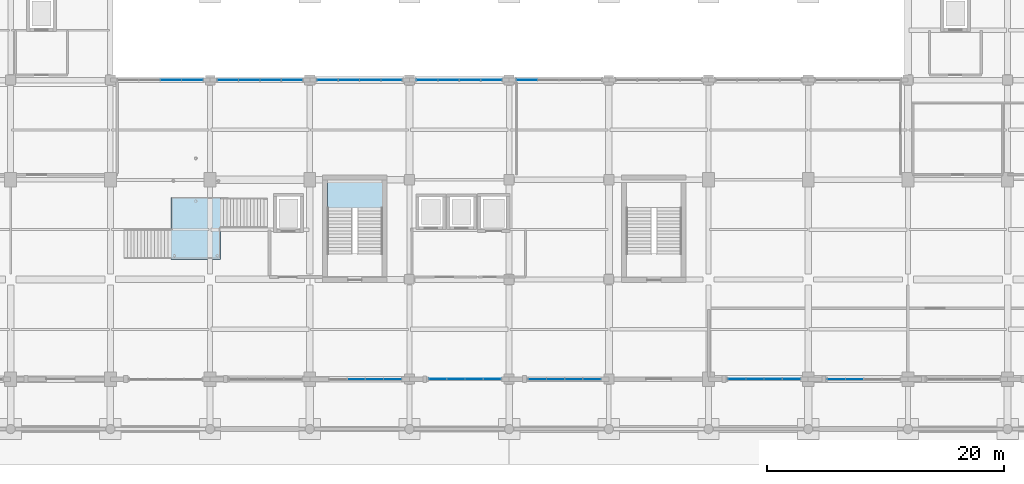
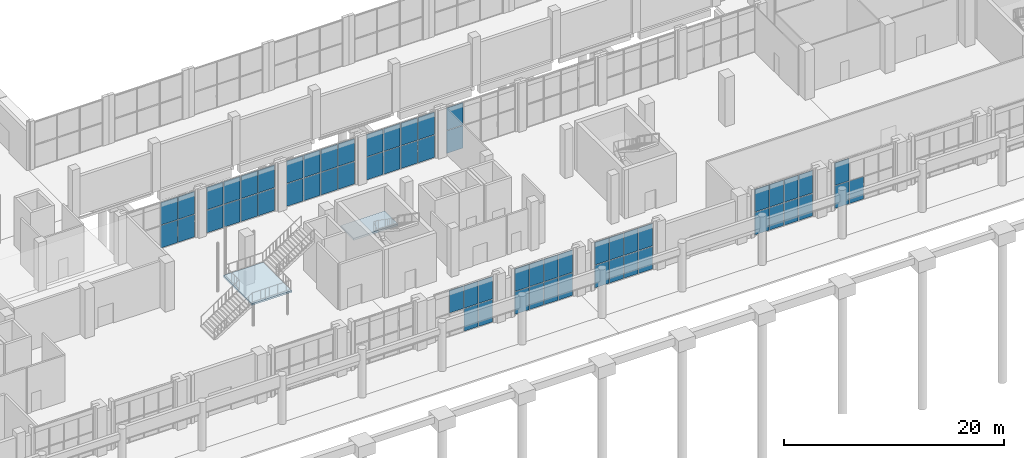
# One storey, part 55 of 82: 62 plates, 2 slabs, 12 elements without a shape of their own.
"""IFC4 building model written with IfcOpenShell, lengths in metres."""

from ifc_helpers import new_model, si_unit, derived_unit, direction, frame, origin, origin_2d, place, context, subcontext, project, spatial, polyline, rectangle, outline, extrude, material, layer, layer_set, type_object, element, aggregate, save


model = new_model("IFC4")

# Units and contexts
model_context = context("Model", 3, precision=1e-05, world=origin(), true_north=direction((0.0, 1.0)))
body_context = subcontext(model_context, "Body", "Model", "MODEL_VIEW")
ifc_project = project(units=[si_unit("LENGTHUNIT", "METRE"), si_unit("AREAUNIT", "SQUARE_METRE"), si_unit("VOLUMEUNIT", "CUBIC_METRE"), si_unit("PLANEANGLEUNIT", "RADIAN"), si_unit("MASSUNIT", "GRAM", prefix="KILO"), derived_unit("THERMALTRANSMITTANCEUNIT", [(si_unit("POWERUNIT", "WATT"), 1), (si_unit("LENGTHUNIT", "METRE"), -2), (si_unit("THERMODYNAMICTEMPERATUREUNIT", "KELVIN"), -1)])], contexts=[model_context])

# Site, building, storey
site_placement = place(None, origin())
site = spatial("IfcSite", under=ifc_project, at=site_placement, CompositionType="ELEMENT")
building_placement = place(site_placement, origin())
building = spatial("IfcBuilding", under=site, at=building_placement, Name="Barrovel Congress Hotel", CompositionType="ELEMENT")
storey_placement = place(building_placement, origin())
storey = spatial("IfcBuildingStorey", under=building, at=storey_placement, Name="L00", CompositionType="ELEMENT", Elevation=0.0)

# Curtain wall, plates
ifc_material_1 = material(Name="Anodised Aluminium Alloy 6063-T6", Category="aluminium")
curtain_wall_type = type_object("IfcCurtainWallType", Name="CW-ST-7200x4800", PredefinedType="USERDEFINED", material=ifc_material_1)
curtain_wall_1_placement = place(storey_placement, origin())
curtain_wall_1 = element("IfcCurtainWall", 1, at=curtain_wall_1_placement, inside=storey, type_object=curtain_wall_type, Name="CW:L00:S:09", ObjectType="STICK CURTAIN WALL", PredefinedType="USERDEFINED")
ifc_material_2 = material(Name="Double Low-E Insulated Glazing", Category="glass")
ifc_layer_1 = layer(ifc_material_2, 0.028076171875)
ifc_layer_set_1 = layer_set([ifc_layer_1], Name="Double Low-E Insulated Glazing")
plate_type_1 = type_object("IfcPlateType", Name="CWP-28", PredefinedType="CURTAIN_PANEL", material=ifc_layer_set_1)
plate_1_placement = place(storey_placement, frame((79.514892578125, 4.199951171875, 2.590087890625), z_axis=(0.0, 0.0, 1.0), x_axis=(1.0, 0.0, 0.0)))
plate_1 = element("IfcPlate", 2, at=plate_1_placement, type_object=plate_type_1, Name="CW:L00:S:09:P1-1", PredefinedType="CURTAIN_PANEL", context=body_context, shape_type="SweptSolid", body=[
    extrude(rectangle(XDim=1.469970703125, YDim=0.028076171875, at=origin_2d()), origin(), (0.0, 0.0, 1.0), 2.5),
])
plate_2_placement = place(storey_placement, frame((81.044921875, 4.199951171875, 0.030029296875), z_axis=(0.0, 0.0, 1.0), x_axis=(1.0, 0.0, 0.0)))
plate_2 = element("IfcPlate", 3, at=plate_2_placement, type_object=plate_type_1, Name="CW:L00:S:09:P2-0", PredefinedType="CURTAIN_PANEL", context=body_context, shape_type="SweptSolid", body=[
    extrude(rectangle(XDim=1.469970703125, YDim=0.028076171875, at=origin_2d()), origin(), (0.0, 0.0, 1.0), 2.5),
])
plate_3_placement = place(storey_placement, frame((81.044921875, 4.199951171875, 2.590087890625), z_axis=(0.0, 0.0, 1.0), x_axis=(1.0, 0.0, 0.0)))
plate_3 = element("IfcPlate", 4, at=plate_3_placement, type_object=plate_type_1, Name="CW:L00:S:09:P2-1", PredefinedType="CURTAIN_PANEL", context=body_context, shape_type="SweptSolid", body=[
    extrude(rectangle(XDim=1.469970703125, YDim=0.028076171875, at=origin_2d()), origin(), (0.0, 0.0, 1.0), 2.5),
])
plate_4_placement = place(storey_placement, frame((82.574951171875, 4.199951171875, 0.030029296875), z_axis=(0.0, 0.0, 1.0), x_axis=(1.0, 0.0, 0.0)))
plate_4 = element("IfcPlate", 5, at=plate_4_placement, type_object=plate_type_1, Name="CW:L00:S:09:P3-0", PredefinedType="CURTAIN_PANEL", context=body_context, shape_type="SweptSolid", body=[
    extrude(rectangle(XDim=1.469970703125, YDim=0.028076171875, at=origin_2d()), origin(), (0.0, 0.0, 1.0), 2.5),
])
plate_5_placement = place(storey_placement, frame((82.574951171875, 4.199951171875, 2.590087890625), z_axis=(0.0, 0.0, 1.0), x_axis=(1.0, 0.0, 0.0)))
plate_5 = element("IfcPlate", 6, at=plate_5_placement, type_object=plate_type_1, Name="CW:L00:S:09:P3-1", PredefinedType="CURTAIN_PANEL", context=body_context, shape_type="SweptSolid", body=[
    extrude(rectangle(XDim=1.469970703125, YDim=0.028076171875, at=origin_2d()), origin(), (0.0, 0.0, 1.0), 2.5),
])
aggregate(curtain_wall_1, [plate_1, plate_2, plate_3, plate_4, plate_5])

curtain_wall_2_placement = place(storey_placement, origin())
curtain_wall_2 = element("IfcCurtainWall", 7, at=curtain_wall_2_placement, inside=storey, type_object=curtain_wall_type, Name="CW:L00:S:11", ObjectType="STICK CURTAIN WALL", PredefinedType="USERDEFINED")
plate_6_placement = place(storey_placement, frame((94.784912109375, 4.199951171875, 0.030029296875), z_axis=(0.0, 0.0, 1.0), x_axis=(1.0, 0.0, 0.0)))
plate_6 = element("IfcPlate", 8, at=plate_6_placement, type_object=plate_type_1, Name="CW:L00:S:11:P0-0", PredefinedType="CURTAIN_PANEL", context=body_context, shape_type="SweptSolid", body=[
    extrude(rectangle(XDim=1.469970703125, YDim=0.028076171875, at=origin_2d()), origin(), (0.0, 0.0, 1.0), 2.5),
])
plate_7_placement = place(storey_placement, frame((94.784912109375, 4.199951171875, 2.590087890625), z_axis=(0.0, 0.0, 1.0), x_axis=(1.0, 0.0, 0.0)))
plate_7 = element("IfcPlate", 9, at=plate_7_placement, type_object=plate_type_1, Name="CW:L00:S:11:P0-1", PredefinedType="CURTAIN_PANEL", context=body_context, shape_type="SweptSolid", body=[
    extrude(rectangle(XDim=1.469970703125, YDim=0.028076171875, at=origin_2d()), origin(), (0.0, 0.0, 1.0), 2.5),
])
plate_8_placement = place(storey_placement, frame((96.31494140625, 4.199951171875, 0.030029296875), z_axis=(0.0, 0.0, 1.0), x_axis=(1.0, 0.0, 0.0)))
plate_8 = element("IfcPlate", 10, at=plate_8_placement, type_object=plate_type_1, Name="CW:L00:S:11:P1-0", PredefinedType="CURTAIN_PANEL", context=body_context, shape_type="SweptSolid", body=[
    extrude(rectangle(XDim=1.469970703125, YDim=0.028076171875, at=origin_2d()), origin(), (0.0, 0.0, 1.0), 2.5),
])
plate_9_placement = place(storey_placement, frame((96.31494140625, 4.199951171875, 2.590087890625), z_axis=(0.0, 0.0, 1.0), x_axis=(1.0, 0.0, 0.0)))
plate_9 = element("IfcPlate", 11, at=plate_9_placement, type_object=plate_type_1, Name="CW:L00:S:11:P1-1", PredefinedType="CURTAIN_PANEL", context=body_context, shape_type="SweptSolid", body=[
    extrude(rectangle(XDim=1.469970703125, YDim=0.028076171875, at=origin_2d()), origin(), (0.0, 0.0, 1.0), 2.5),
])
plate_10_placement = place(storey_placement, frame((97.844970703125, 4.199951171875, 0.030029296875), z_axis=(0.0, 0.0, 1.0), x_axis=(1.0, 0.0, 0.0)))
plate_10 = element("IfcPlate", 12, at=plate_10_placement, type_object=plate_type_1, Name="CW:L00:S:11:P2-0", PredefinedType="CURTAIN_PANEL", context=body_context, shape_type="SweptSolid", body=[
    extrude(rectangle(XDim=1.469970703125, YDim=0.028076171875, at=origin_2d()), origin(), (0.0, 0.0, 1.0), 2.5),
])
plate_11_placement = place(storey_placement, frame((97.844970703125, 4.199951171875, 2.590087890625), z_axis=(0.0, 0.0, 1.0), x_axis=(1.0, 0.0, 0.0)))
plate_11 = element("IfcPlate", 13, at=plate_11_placement, type_object=plate_type_1, Name="CW:L00:S:11:P2-1", PredefinedType="CURTAIN_PANEL", context=body_context, shape_type="SweptSolid", body=[
    extrude(rectangle(XDim=1.469970703125, YDim=0.028076171875, at=origin_2d()), origin(), (0.0, 0.0, 1.0), 2.5),
])
plate_12_placement = place(storey_placement, frame((99.375, 4.199951171875, 0.030029296875), z_axis=(0.0, 0.0, 1.0), x_axis=(1.0, 0.0, 0.0)))
plate_12 = element("IfcPlate", 14, at=plate_12_placement, type_object=plate_type_1, Name="CW:L00:S:11:P3-0", PredefinedType="CURTAIN_PANEL", context=body_context, shape_type="SweptSolid", body=[
    extrude(rectangle(XDim=1.469970703125, YDim=0.028076171875, at=origin_2d()), origin(), (0.0, 0.0, 1.0), 2.5),
])
plate_13_placement = place(storey_placement, frame((99.375, 4.199951171875, 2.590087890625), z_axis=(0.0, 0.0, 1.0), x_axis=(1.0, 0.0, 0.0)))
plate_13 = element("IfcPlate", 15, at=plate_13_placement, type_object=plate_type_1, Name="CW:L00:S:11:P3-1", PredefinedType="CURTAIN_PANEL", context=body_context, shape_type="SweptSolid", body=[
    extrude(rectangle(XDim=1.469970703125, YDim=0.028076171875, at=origin_2d()), origin(), (0.0, 0.0, 1.0), 2.5),
])
aggregate(curtain_wall_2, [plate_6, plate_7, plate_8, plate_9, plate_10, plate_11, plate_12, plate_13])

curtain_wall_3_placement = place(storey_placement, origin())
curtain_wall_3 = element("IfcCurtainWall", 16, at=curtain_wall_3_placement, inside=storey, type_object=curtain_wall_type, Name="CW:L00:S:14", ObjectType="STICK CURTAIN WALL", PredefinedType="USERDEFINED")
plate_14_placement = place(storey_placement, frame((119.985107421875, 4.199951171875, 0.030029296875), z_axis=(0.0, 0.0, 1.0), x_axis=(1.0, 0.0, 0.0)))
plate_14 = element("IfcPlate", 17, at=plate_14_placement, type_object=plate_type_1, Name="CW:L00:S:14:P0-0", PredefinedType="CURTAIN_PANEL", context=body_context, shape_type="SweptSolid", body=[
    extrude(rectangle(XDim=1.469970703125, YDim=0.028076171875, at=origin_2d()), origin(), (0.0, 0.0, 1.0), 2.5),
])
plate_15_placement = place(storey_placement, frame((119.985107421875, 4.199951171875, 2.590087890625), z_axis=(0.0, 0.0, 1.0), x_axis=(1.0, 0.0, 0.0)))
plate_15 = element("IfcPlate", 18, at=plate_15_placement, type_object=plate_type_1, Name="CW:L00:S:14:P0-1", PredefinedType="CURTAIN_PANEL", context=body_context, shape_type="SweptSolid", body=[
    extrude(rectangle(XDim=1.469970703125, YDim=0.028076171875, at=origin_2d()), origin(), (0.0, 0.0, 1.0), 2.5),
])
plate_16_placement = place(storey_placement, frame((121.514892578125, 4.199951171875, 0.030029296875), z_axis=(0.0, 0.0, 1.0), x_axis=(1.0, 0.0, 0.0)))
plate_16 = element("IfcPlate", 19, at=plate_16_placement, type_object=plate_type_1, Name="CW:L00:S:14:P1-0", PredefinedType="CURTAIN_PANEL", context=body_context, shape_type="SweptSolid", body=[
    extrude(rectangle(XDim=1.469970703125, YDim=0.028076171875, at=origin_2d()), origin(), (0.0, 0.0, 1.0), 2.5),
])
aggregate(curtain_wall_3, [plate_14, plate_15, plate_16])

curtain_wall_4_placement = place(storey_placement, origin())
curtain_wall_4 = element("IfcCurtainWall", 20, at=curtain_wall_4_placement, inside=storey, type_object=curtain_wall_type, Name="CW:L00:CS:11", ObjectType="STICK CURTAIN WALL", PredefinedType="USERDEFINED")
plate_17_placement = place(storey_placement, frame((93.89990234375, 29.39990234375, 0.030029296875), z_axis=(0.0, 0.0, 1.0), x_axis=(-1.0, 0.0, 0.0)))
plate_17 = element("IfcPlate", 21, at=plate_17_placement, type_object=plate_type_1, Name="CW:L00:CS:11:P3-0", PredefinedType="CURTAIN_PANEL", context=body_context, shape_type="SweptSolid", body=[
    extrude(rectangle(XDim=1.739990234375, YDim=0.028076171875, at=origin_2d()), origin(), (0.0, 0.0, 1.0), 2.5),
])
plate_18_placement = place(storey_placement, frame((93.89990234375, 29.39990234375, 2.590087890625), z_axis=(0.0, 0.0, 1.0), x_axis=(-1.0, 0.0, 0.0)))
plate_18 = element("IfcPlate", 22, at=plate_18_placement, type_object=plate_type_1, Name="CW:L00:CS:11:P3-1", PredefinedType="CURTAIN_PANEL", context=body_context, shape_type="SweptSolid", body=[
    extrude(rectangle(XDim=1.739990234375, YDim=0.028076171875, at=origin_2d()), origin(), (0.0, 0.0, 1.0), 2.5),
])
aggregate(curtain_wall_4, [plate_17, plate_18])

curtain_wall_5_placement = place(storey_placement, origin())
curtain_wall_5 = element("IfcCurtainWall", 23, at=curtain_wall_5_placement, inside=storey, type_object=curtain_wall_type, Name="CW:L00:CS:09", ObjectType="STICK CURTAIN WALL", PredefinedType="USERDEFINED")
plate_19_placement = place(storey_placement, frame((82.5, 29.39990234375, 0.030029296875), z_axis=(0.0, 0.0, 1.0), x_axis=(-1.0, 0.0, 0.0)))
plate_19 = element("IfcPlate", 24, at=plate_19_placement, type_object=plate_type_1, Name="CW:L00:CS:09:P0-0", PredefinedType="CURTAIN_PANEL", context=body_context, shape_type="SweptSolid", body=[
    extrude(rectangle(XDim=1.739990234375, YDim=0.028076171875, at=origin_2d()), origin(), (0.0, 0.0, 1.0), 2.5),
])
plate_20_placement = place(storey_placement, frame((82.5, 29.39990234375, 2.590087890625), z_axis=(0.0, 0.0, 1.0), x_axis=(-1.0, 0.0, 0.0)))
plate_20 = element("IfcPlate", 25, at=plate_20_placement, type_object=plate_type_1, Name="CW:L00:CS:09:P0-1", PredefinedType="CURTAIN_PANEL", context=body_context, shape_type="SweptSolid", body=[
    extrude(rectangle(XDim=1.739990234375, YDim=0.028076171875, at=origin_2d()), origin(), (0.0, 0.0, 1.0), 2.5),
])
plate_21_placement = place(storey_placement, frame((80.699951171875, 29.39990234375, 0.030029296875), z_axis=(0.0, 0.0, 1.0), x_axis=(-1.0, 0.0, 0.0)))
plate_21 = element("IfcPlate", 26, at=plate_21_placement, type_object=plate_type_1, Name="CW:L00:CS:09:P1-0", PredefinedType="CURTAIN_PANEL", context=body_context, shape_type="SweptSolid", body=[
    extrude(rectangle(XDim=1.739990234375, YDim=0.028076171875, at=origin_2d()), origin(), (0.0, 0.0, 1.0), 2.5),
])
plate_22_placement = place(storey_placement, frame((80.699951171875, 29.39990234375, 2.590087890625), z_axis=(0.0, 0.0, 1.0), x_axis=(-1.0, 0.0, 0.0)))
plate_22 = element("IfcPlate", 27, at=plate_22_placement, type_object=plate_type_1, Name="CW:L00:CS:09:P1-1", PredefinedType="CURTAIN_PANEL", context=body_context, shape_type="SweptSolid", body=[
    extrude(rectangle(XDim=1.739990234375, YDim=0.028076171875, at=origin_2d()), origin(), (0.0, 0.0, 1.0), 2.5),
])
plate_23_placement = place(storey_placement, frame((78.89990234375, 29.39990234375, 0.030029296875), z_axis=(0.0, 0.0, 1.0), x_axis=(-1.0, 0.0, 0.0)))
plate_23 = element("IfcPlate", 28, at=plate_23_placement, type_object=plate_type_1, Name="CW:L00:CS:09:P2-0", PredefinedType="CURTAIN_PANEL", context=body_context, shape_type="SweptSolid", body=[
    extrude(rectangle(XDim=1.739990234375, YDim=0.028076171875, at=origin_2d()), origin(), (0.0, 0.0, 1.0), 2.5),
])
plate_24_placement = place(storey_placement, frame((78.89990234375, 29.39990234375, 2.590087890625), z_axis=(0.0, 0.0, 1.0), x_axis=(-1.0, 0.0, 0.0)))
plate_24 = element("IfcPlate", 29, at=plate_24_placement, type_object=plate_type_1, Name="CW:L00:CS:09:P2-1", PredefinedType="CURTAIN_PANEL", context=body_context, shape_type="SweptSolid", body=[
    extrude(rectangle(XDim=1.739990234375, YDim=0.028076171875, at=origin_2d()), origin(), (0.0, 0.0, 1.0), 2.5),
])
plate_25_placement = place(storey_placement, frame((77.10009765625, 29.39990234375, 0.030029296875), z_axis=(0.0, 0.0, 1.0), x_axis=(-1.0, 0.0, 0.0)))
plate_25 = element("IfcPlate", 30, at=plate_25_placement, type_object=plate_type_1, Name="CW:L00:CS:09:P3-0", PredefinedType="CURTAIN_PANEL", context=body_context, shape_type="SweptSolid", body=[
    extrude(rectangle(XDim=1.739990234375, YDim=0.028076171875, at=origin_2d()), origin(), (0.0, 0.0, 1.0), 2.5),
])
plate_26_placement = place(storey_placement, frame((77.10009765625, 29.39990234375, 2.590087890625), z_axis=(0.0, 0.0, 1.0), x_axis=(-1.0, 0.0, 0.0)))
plate_26 = element("IfcPlate", 31, at=plate_26_placement, type_object=plate_type_1, Name="CW:L00:CS:09:P3-1", PredefinedType="CURTAIN_PANEL", context=body_context, shape_type="SweptSolid", body=[
    extrude(rectangle(XDim=1.739990234375, YDim=0.028076171875, at=origin_2d()), origin(), (0.0, 0.0, 1.0), 2.5),
])
aggregate(curtain_wall_5, [plate_19, plate_20, plate_21, plate_22, plate_23, plate_24, plate_25, plate_26])

curtain_wall_6_placement = place(storey_placement, origin())
curtain_wall_6 = element("IfcCurtainWall", 32, at=curtain_wall_6_placement, inside=storey, type_object=curtain_wall_type, Name="CW:L00:CS:07", ObjectType="STICK CURTAIN WALL", PredefinedType="USERDEFINED")
plate_27_placement = place(storey_placement, frame((65.699951171875, 29.39990234375, 0.030029296875), z_axis=(0.0, 0.0, 1.0), x_axis=(-1.0, 0.0, 0.0)))
plate_27 = element("IfcPlate", 33, at=plate_27_placement, type_object=plate_type_1, Name="CW:L00:CS:07:P0-0", PredefinedType="CURTAIN_PANEL", context=body_context, shape_type="SweptSolid", body=[
    extrude(rectangle(XDim=1.739990234375, YDim=0.028076171875, at=origin_2d()), origin(), (0.0, 0.0, 1.0), 2.5),
])
plate_28_placement = place(storey_placement, frame((65.699951171875, 29.39990234375, 2.590087890625), z_axis=(0.0, 0.0, 1.0), x_axis=(-1.0, 0.0, 0.0)))
plate_28 = element("IfcPlate", 34, at=plate_28_placement, type_object=plate_type_1, Name="CW:L00:CS:07:P0-1", PredefinedType="CURTAIN_PANEL", context=body_context, shape_type="SweptSolid", body=[
    extrude(rectangle(XDim=1.739990234375, YDim=0.028076171875, at=origin_2d()), origin(), (0.0, 0.0, 1.0), 2.5),
])
plate_29_placement = place(storey_placement, frame((63.89990234375, 29.39990234375, 0.030029296875), z_axis=(0.0, 0.0, 1.0), x_axis=(-1.0, 0.0, 0.0)))
plate_29 = element("IfcPlate", 35, at=plate_29_placement, type_object=plate_type_1, Name="CW:L00:CS:07:P1-0", PredefinedType="CURTAIN_PANEL", context=body_context, shape_type="SweptSolid", body=[
    extrude(rectangle(XDim=1.739990234375, YDim=0.028076171875, at=origin_2d()), origin(), (0.0, 0.0, 1.0), 2.5),
])
plate_30_placement = place(storey_placement, frame((63.89990234375, 29.39990234375, 2.590087890625), z_axis=(0.0, 0.0, 1.0), x_axis=(-1.0, 0.0, 0.0)))
plate_30 = element("IfcPlate", 36, at=plate_30_placement, type_object=plate_type_1, Name="CW:L00:CS:07:P1-1", PredefinedType="CURTAIN_PANEL", context=body_context, shape_type="SweptSolid", body=[
    extrude(rectangle(XDim=1.739990234375, YDim=0.028076171875, at=origin_2d()), origin(), (0.0, 0.0, 1.0), 2.5),
])
aggregate(curtain_wall_6, [plate_27, plate_28, plate_29, plate_30])

curtain_wall_7_placement = place(storey_placement, origin())
curtain_wall_7 = element("IfcCurtainWall", 37, at=curtain_wall_7_placement, inside=storey, type_object=curtain_wall_type, Name="CW:L00:S:10", ObjectType="STICK CURTAIN WALL", PredefinedType="USERDEFINED")
ifc_layer_2 = layer(ifc_material_2, 0.031982421875)
ifc_layer_set_2 = layer_set([ifc_layer_2], Name="Double Low-E Insulated Glazing")
plate_type_2 = type_object("IfcPlateType", Name="CWP-32", PredefinedType="CURTAIN_PANEL", material=ifc_layer_set_2)
plate_31_placement = place(storey_placement, frame((86.385009765625, 4.199951171875, 0.030029296875), z_axis=(0.0, 0.0, 1.0), x_axis=(1.0, 0.0, 0.0)))
plate_31 = element("IfcPlate", 38, at=plate_31_placement, type_object=plate_type_2, Name="CW:L00:S:10:P0-0", PredefinedType="CURTAIN_PANEL", context=body_context, shape_type="SweptSolid", body=[
    extrude(rectangle(XDim=1.469970703125, YDim=0.031982421875, at=origin_2d()), origin(), (0.0, 0.0, 1.0), 2.5),
])
plate_32_placement = place(storey_placement, frame((86.385009765625, 4.199951171875, 2.590087890625), z_axis=(0.0, 0.0, 1.0), x_axis=(1.0, 0.0, 0.0)))
plate_32 = element("IfcPlate", 39, at=plate_32_placement, type_object=plate_type_2, Name="CW:L00:S:10:P0-1", PredefinedType="CURTAIN_PANEL", context=body_context, shape_type="SweptSolid", body=[
    extrude(rectangle(XDim=1.469970703125, YDim=0.031982421875, at=origin_2d()), origin(), (0.0, 0.0, 1.0), 2.5),
])
plate_33_placement = place(storey_placement, frame((87.9150390625, 4.199951171875, 0.030029296875), z_axis=(0.0, 0.0, 1.0), x_axis=(1.0, 0.0, 0.0)))
plate_33 = element("IfcPlate", 40, at=plate_33_placement, type_object=plate_type_2, Name="CW:L00:S:10:P1-0", PredefinedType="CURTAIN_PANEL", context=body_context, shape_type="SweptSolid", body=[
    extrude(rectangle(XDim=1.469970703125, YDim=0.031982421875, at=origin_2d()), origin(), (0.0, 0.0, 1.0), 2.5),
])
plate_34_placement = place(storey_placement, frame((87.9150390625, 4.199951171875, 2.590087890625), z_axis=(0.0, 0.0, 1.0), x_axis=(1.0, 0.0, 0.0)))
plate_34 = element("IfcPlate", 41, at=plate_34_placement, type_object=plate_type_2, Name="CW:L00:S:10:P1-1", PredefinedType="CURTAIN_PANEL", context=body_context, shape_type="SweptSolid", body=[
    extrude(rectangle(XDim=1.469970703125, YDim=0.031982421875, at=origin_2d()), origin(), (0.0, 0.0, 1.0), 2.5),
])
plate_35_placement = place(storey_placement, frame((89.445068359375, 4.199951171875, 0.030029296875), z_axis=(0.0, 0.0, 1.0), x_axis=(1.0, 0.0, 0.0)))
plate_35 = element("IfcPlate", 42, at=plate_35_placement, type_object=plate_type_2, Name="CW:L00:S:10:P2-0", PredefinedType="CURTAIN_PANEL", context=body_context, shape_type="SweptSolid", body=[
    extrude(rectangle(XDim=1.469970703125, YDim=0.031982421875, at=origin_2d()), origin(), (0.0, 0.0, 1.0), 2.5),
])
plate_36_placement = place(storey_placement, frame((89.445068359375, 4.199951171875, 2.590087890625), z_axis=(0.0, 0.0, 1.0), x_axis=(1.0, 0.0, 0.0)))
plate_36 = element("IfcPlate", 43, at=plate_36_placement, type_object=plate_type_2, Name="CW:L00:S:10:P2-1", PredefinedType="CURTAIN_PANEL", context=body_context, shape_type="SweptSolid", body=[
    extrude(rectangle(XDim=1.469970703125, YDim=0.031982421875, at=origin_2d()), origin(), (0.0, 0.0, 1.0), 2.5),
])
plate_37_placement = place(storey_placement, frame((90.97509765625, 4.199951171875, 0.030029296875), z_axis=(0.0, 0.0, 1.0), x_axis=(1.0, 0.0, 0.0)))
plate_37 = element("IfcPlate", 44, at=plate_37_placement, type_object=plate_type_2, Name="CW:L00:S:10:P3-0", PredefinedType="CURTAIN_PANEL", context=body_context, shape_type="SweptSolid", body=[
    extrude(rectangle(XDim=1.469970703125, YDim=0.031982421875, at=origin_2d()), origin(), (0.0, 0.0, 1.0), 2.5),
])
plate_38_placement = place(storey_placement, frame((90.97509765625, 4.199951171875, 2.590087890625), z_axis=(0.0, 0.0, 1.0), x_axis=(1.0, 0.0, 0.0)))
plate_38 = element("IfcPlate", 45, at=plate_38_placement, type_object=plate_type_2, Name="CW:L00:S:10:P3-1", PredefinedType="CURTAIN_PANEL", context=body_context, shape_type="SweptSolid", body=[
    extrude(rectangle(XDim=1.469970703125, YDim=0.031982421875, at=origin_2d()), origin(), (0.0, 0.0, 1.0), 2.5),
])
aggregate(curtain_wall_7, [plate_31, plate_32, plate_33, plate_34, plate_35, plate_36, plate_37, plate_38])

curtain_wall_8_placement = place(storey_placement, origin())
curtain_wall_8 = element("IfcCurtainWall", 46, at=curtain_wall_8_placement, inside=storey, type_object=curtain_wall_type, Name="CW:L00:S:13", ObjectType="STICK CURTAIN WALL", PredefinedType="USERDEFINED")
plate_39_placement = place(storey_placement, frame((111.5849609375, 4.199951171875, 0.030029296875), z_axis=(0.0, 0.0, 1.0), x_axis=(1.0, 0.0, 0.0)))
plate_39 = element("IfcPlate", 47, at=plate_39_placement, type_object=plate_type_2, Name="CW:L00:S:13:P0-0", PredefinedType="CURTAIN_PANEL", context=body_context, shape_type="SweptSolid", body=[
    extrude(rectangle(XDim=1.469970703125, YDim=0.031982421875, at=origin_2d()), origin(), (0.0, 0.0, 1.0), 2.5),
])
plate_40_placement = place(storey_placement, frame((111.5849609375, 4.199951171875, 2.590087890625), z_axis=(0.0, 0.0, 1.0), x_axis=(1.0, 0.0, 0.0)))
plate_40 = element("IfcPlate", 48, at=plate_40_placement, type_object=plate_type_2, Name="CW:L00:S:13:P0-1", PredefinedType="CURTAIN_PANEL", context=body_context, shape_type="SweptSolid", body=[
    extrude(rectangle(XDim=1.469970703125, YDim=0.031982421875, at=origin_2d()), origin(), (0.0, 0.0, 1.0), 2.5),
])
plate_41_placement = place(storey_placement, frame((113.114990234375, 4.199951171875, 0.030029296875), z_axis=(0.0, 0.0, 1.0), x_axis=(1.0, 0.0, 0.0)))
plate_41 = element("IfcPlate", 49, at=plate_41_placement, type_object=plate_type_2, Name="CW:L00:S:13:P1-0", PredefinedType="CURTAIN_PANEL", context=body_context, shape_type="SweptSolid", body=[
    extrude(rectangle(XDim=1.469970703125, YDim=0.031982421875, at=origin_2d()), origin(), (0.0, 0.0, 1.0), 2.5),
])
plate_42_placement = place(storey_placement, frame((113.114990234375, 4.199951171875, 2.590087890625), z_axis=(0.0, 0.0, 1.0), x_axis=(1.0, 0.0, 0.0)))
plate_42 = element("IfcPlate", 50, at=plate_42_placement, type_object=plate_type_2, Name="CW:L00:S:13:P1-1", PredefinedType="CURTAIN_PANEL", context=body_context, shape_type="SweptSolid", body=[
    extrude(rectangle(XDim=1.469970703125, YDim=0.031982421875, at=origin_2d()), origin(), (0.0, 0.0, 1.0), 2.5),
])
plate_43_placement = place(storey_placement, frame((114.64501953125, 4.199951171875, 0.030029296875), z_axis=(0.0, 0.0, 1.0), x_axis=(1.0, 0.0, 0.0)))
plate_43 = element("IfcPlate", 51, at=plate_43_placement, type_object=plate_type_2, Name="CW:L00:S:13:P2-0", PredefinedType="CURTAIN_PANEL", context=body_context, shape_type="SweptSolid", body=[
    extrude(rectangle(XDim=1.469970703125, YDim=0.031982421875, at=origin_2d()), origin(), (0.0, 0.0, 1.0), 2.5),
])
plate_44_placement = place(storey_placement, frame((114.64501953125, 4.199951171875, 2.590087890625), z_axis=(0.0, 0.0, 1.0), x_axis=(1.0, 0.0, 0.0)))
plate_44 = element("IfcPlate", 52, at=plate_44_placement, type_object=plate_type_2, Name="CW:L00:S:13:P2-1", PredefinedType="CURTAIN_PANEL", context=body_context, shape_type="SweptSolid", body=[
    extrude(rectangle(XDim=1.469970703125, YDim=0.031982421875, at=origin_2d()), origin(), (0.0, 0.0, 1.0), 2.5),
])
plate_45_placement = place(storey_placement, frame((116.175048828125, 4.199951171875, 0.030029296875), z_axis=(0.0, 0.0, 1.0), x_axis=(1.0, 0.0, 0.0)))
plate_45 = element("IfcPlate", 53, at=plate_45_placement, type_object=plate_type_2, Name="CW:L00:S:13:P3-0", PredefinedType="CURTAIN_PANEL", context=body_context, shape_type="SweptSolid", body=[
    extrude(rectangle(XDim=1.469970703125, YDim=0.031982421875, at=origin_2d()), origin(), (0.0, 0.0, 1.0), 2.5),
])
plate_46_placement = place(storey_placement, frame((116.175048828125, 4.199951171875, 2.590087890625), z_axis=(0.0, 0.0, 1.0), x_axis=(1.0, 0.0, 0.0)))
plate_46 = element("IfcPlate", 54, at=plate_46_placement, type_object=plate_type_2, Name="CW:L00:S:13:P3-1", PredefinedType="CURTAIN_PANEL", context=body_context, shape_type="SweptSolid", body=[
    extrude(rectangle(XDim=1.469970703125, YDim=0.031982421875, at=origin_2d()), origin(), (0.0, 0.0, 1.0), 2.5),
])
aggregate(curtain_wall_8, [plate_39, plate_40, plate_41, plate_42, plate_43, plate_44, plate_45, plate_46])

curtain_wall_9_placement = place(storey_placement, origin())
curtain_wall_9 = element("IfcCurtainWall", 55, at=curtain_wall_9_placement, inside=storey, type_object=curtain_wall_type, Name="CW:L00:CS:10", ObjectType="STICK CURTAIN WALL", PredefinedType="USERDEFINED")
plate_47_placement = place(storey_placement, frame((90.89990234375, 29.39990234375, 0.030029296875), z_axis=(0.0, 0.0, 1.0), x_axis=(-1.0, 0.0, 0.0)))
plate_47 = element("IfcPlate", 56, at=plate_47_placement, type_object=plate_type_2, Name="CW:L00:CS:10:P0-0", PredefinedType="CURTAIN_PANEL", context=body_context, shape_type="SweptSolid", body=[
    extrude(rectangle(XDim=1.739990234375, YDim=0.031982421875, at=origin_2d()), origin(), (0.0, 0.0, 1.0), 2.5),
])
plate_48_placement = place(storey_placement, frame((90.89990234375, 29.39990234375, 2.590087890625), z_axis=(0.0, 0.0, 1.0), x_axis=(-1.0, 0.0, 0.0)))
plate_48 = element("IfcPlate", 57, at=plate_48_placement, type_object=plate_type_2, Name="CW:L00:CS:10:P0-1", PredefinedType="CURTAIN_PANEL", context=body_context, shape_type="SweptSolid", body=[
    extrude(rectangle(XDim=1.739990234375, YDim=0.031982421875, at=origin_2d()), origin(), (0.0, 0.0, 1.0), 2.5),
])
plate_49_placement = place(storey_placement, frame((89.10009765625, 29.39990234375, 0.030029296875), z_axis=(0.0, 0.0, 1.0), x_axis=(-1.0, 0.0, 0.0)))
plate_49 = element("IfcPlate", 58, at=plate_49_placement, type_object=plate_type_2, Name="CW:L00:CS:10:P1-0", PredefinedType="CURTAIN_PANEL", context=body_context, shape_type="SweptSolid", body=[
    extrude(rectangle(XDim=1.739990234375, YDim=0.031982421875, at=origin_2d()), origin(), (0.0, 0.0, 1.0), 2.5),
])
plate_50_placement = place(storey_placement, frame((89.10009765625, 29.39990234375, 2.590087890625), z_axis=(0.0, 0.0, 1.0), x_axis=(-1.0, 0.0, 0.0)))
plate_50 = element("IfcPlate", 59, at=plate_50_placement, type_object=plate_type_2, Name="CW:L00:CS:10:P1-1", PredefinedType="CURTAIN_PANEL", context=body_context, shape_type="SweptSolid", body=[
    extrude(rectangle(XDim=1.739990234375, YDim=0.031982421875, at=origin_2d()), origin(), (0.0, 0.0, 1.0), 2.5),
])
plate_51_placement = place(storey_placement, frame((87.300048828125, 29.39990234375, 0.030029296875), z_axis=(0.0, 0.0, 1.0), x_axis=(-1.0, 0.0, 0.0)))
plate_51 = element("IfcPlate", 60, at=plate_51_placement, type_object=plate_type_2, Name="CW:L00:CS:10:P2-0", PredefinedType="CURTAIN_PANEL", context=body_context, shape_type="SweptSolid", body=[
    extrude(rectangle(XDim=1.739990234375, YDim=0.031982421875, at=origin_2d()), origin(), (0.0, 0.0, 1.0), 2.5),
])
plate_52_placement = place(storey_placement, frame((87.300048828125, 29.39990234375, 2.590087890625), z_axis=(0.0, 0.0, 1.0), x_axis=(-1.0, 0.0, 0.0)))
plate_52 = element("IfcPlate", 61, at=plate_52_placement, type_object=plate_type_2, Name="CW:L00:CS:10:P2-1", PredefinedType="CURTAIN_PANEL", context=body_context, shape_type="SweptSolid", body=[
    extrude(rectangle(XDim=1.739990234375, YDim=0.031982421875, at=origin_2d()), origin(), (0.0, 0.0, 1.0), 2.5),
])
plate_53_placement = place(storey_placement, frame((85.5, 29.39990234375, 0.030029296875), z_axis=(0.0, 0.0, 1.0), x_axis=(-1.0, 0.0, 0.0)))
plate_53 = element("IfcPlate", 62, at=plate_53_placement, type_object=plate_type_2, Name="CW:L00:CS:10:P3-0", PredefinedType="CURTAIN_PANEL", context=body_context, shape_type="SweptSolid", body=[
    extrude(rectangle(XDim=1.739990234375, YDim=0.031982421875, at=origin_2d()), origin(), (0.0, 0.0, 1.0), 2.5),
])
plate_54_placement = place(storey_placement, frame((85.5, 29.39990234375, 2.590087890625), z_axis=(0.0, 0.0, 1.0), x_axis=(-1.0, 0.0, 0.0)))
plate_54 = element("IfcPlate", 63, at=plate_54_placement, type_object=plate_type_2, Name="CW:L00:CS:10:P3-1", PredefinedType="CURTAIN_PANEL", context=body_context, shape_type="SweptSolid", body=[
    extrude(rectangle(XDim=1.739990234375, YDim=0.031982421875, at=origin_2d()), origin(), (0.0, 0.0, 1.0), 2.5),
])
aggregate(curtain_wall_9, [plate_47, plate_48, plate_49, plate_50, plate_51, plate_52, plate_53, plate_54])

curtain_wall_10_placement = place(storey_placement, origin())
curtain_wall_10 = element("IfcCurtainWall", 64, at=curtain_wall_10_placement, inside=storey, type_object=curtain_wall_type, Name="CW:L00:CS:08", ObjectType="STICK CURTAIN WALL", PredefinedType="USERDEFINED")
plate_55_placement = place(storey_placement, frame((74.10009765625, 29.39990234375, 0.030029296875), z_axis=(0.0, 0.0, 1.0), x_axis=(-1.0, 0.0, 0.0)))
plate_55 = element("IfcPlate", 65, at=plate_55_placement, type_object=plate_type_2, Name="CW:L00:CS:08:P0-0", PredefinedType="CURTAIN_PANEL", context=body_context, shape_type="SweptSolid", body=[
    extrude(rectangle(XDim=1.739990234375, YDim=0.031982421875, at=origin_2d()), origin(), (0.0, 0.0, 1.0), 2.5),
])
plate_56_placement = place(storey_placement, frame((74.10009765625, 29.39990234375, 2.590087890625), z_axis=(0.0, 0.0, 1.0), x_axis=(-1.0, 0.0, 0.0)))
plate_56 = element("IfcPlate", 66, at=plate_56_placement, type_object=plate_type_2, Name="CW:L00:CS:08:P0-1", PredefinedType="CURTAIN_PANEL", context=body_context, shape_type="SweptSolid", body=[
    extrude(rectangle(XDim=1.739990234375, YDim=0.031982421875, at=origin_2d()), origin(), (0.0, 0.0, 1.0), 2.5),
])
plate_57_placement = place(storey_placement, frame((72.300048828125, 29.39990234375, 0.030029296875), z_axis=(0.0, 0.0, 1.0), x_axis=(-1.0, 0.0, 0.0)))
plate_57 = element("IfcPlate", 67, at=plate_57_placement, type_object=plate_type_2, Name="CW:L00:CS:08:P1-0", PredefinedType="CURTAIN_PANEL", context=body_context, shape_type="SweptSolid", body=[
    extrude(rectangle(XDim=1.739990234375, YDim=0.031982421875, at=origin_2d()), origin(), (0.0, 0.0, 1.0), 2.5),
])
plate_58_placement = place(storey_placement, frame((72.300048828125, 29.39990234375, 2.590087890625), z_axis=(0.0, 0.0, 1.0), x_axis=(-1.0, 0.0, 0.0)))
plate_58 = element("IfcPlate", 68, at=plate_58_placement, type_object=plate_type_2, Name="CW:L00:CS:08:P1-1", PredefinedType="CURTAIN_PANEL", context=body_context, shape_type="SweptSolid", body=[
    extrude(rectangle(XDim=1.739990234375, YDim=0.031982421875, at=origin_2d()), origin(), (0.0, 0.0, 1.0), 2.5),
])
plate_59_placement = place(storey_placement, frame((70.5, 29.39990234375, 0.030029296875), z_axis=(0.0, 0.0, 1.0), x_axis=(-1.0, 0.0, 0.0)))
plate_59 = element("IfcPlate", 69, at=plate_59_placement, type_object=plate_type_2, Name="CW:L00:CS:08:P2-0", PredefinedType="CURTAIN_PANEL", context=body_context, shape_type="SweptSolid", body=[
    extrude(rectangle(XDim=1.739990234375, YDim=0.031982421875, at=origin_2d()), origin(), (0.0, 0.0, 1.0), 2.5),
])
plate_60_placement = place(storey_placement, frame((70.5, 29.39990234375, 2.590087890625), z_axis=(0.0, 0.0, 1.0), x_axis=(-1.0, 0.0, 0.0)))
plate_60 = element("IfcPlate", 70, at=plate_60_placement, type_object=plate_type_2, Name="CW:L00:CS:08:P2-1", PredefinedType="CURTAIN_PANEL", context=body_context, shape_type="SweptSolid", body=[
    extrude(rectangle(XDim=1.739990234375, YDim=0.031982421875, at=origin_2d()), origin(), (0.0, 0.0, 1.0), 2.5),
])
plate_61_placement = place(storey_placement, frame((68.699951171875, 29.39990234375, 0.030029296875), z_axis=(0.0, 0.0, 1.0), x_axis=(-1.0, 0.0, 0.0)))
plate_61 = element("IfcPlate", 71, at=plate_61_placement, type_object=plate_type_2, Name="CW:L00:CS:08:P3-0", PredefinedType="CURTAIN_PANEL", context=body_context, shape_type="SweptSolid", body=[
    extrude(rectangle(XDim=1.739990234375, YDim=0.031982421875, at=origin_2d()), origin(), (0.0, 0.0, 1.0), 2.5),
])
plate_62_placement = place(storey_placement, frame((68.699951171875, 29.39990234375, 2.590087890625), z_axis=(0.0, 0.0, 1.0), x_axis=(-1.0, 0.0, 0.0)))
plate_62 = element("IfcPlate", 72, at=plate_62_placement, type_object=plate_type_2, Name="CW:L00:CS:08:P3-1", PredefinedType="CURTAIN_PANEL", context=body_context, shape_type="SweptSolid", body=[
    extrude(rectangle(XDim=1.739990234375, YDim=0.031982421875, at=origin_2d()), origin(), (0.0, 0.0, 1.0), 2.5),
])
aggregate(curtain_wall_10, [plate_55, plate_56, plate_57, plate_58, plate_59, plate_60, plate_61, plate_62])

# Stair, slab
ifc_material_3 = material(Name="Concrete C40", Category="concrete")
stair_type_1 = type_object("IfcStairType", Name="STR-SR-540", PredefinedType="STRAIGHT_RUN_STAIR", material=ifc_material_3)
stair_1_placement = place(storey_placement, origin())
stair_1 = element("IfcStair", 73, at=stair_1_placement, inside=storey, type_object=stair_type_1, Name="Atrium Grand Stair L00-L01", PredefinedType="STRAIGHT_RUN_STAIR")
ifc_layer_3 = layer(ifc_material_3, 0.18994140625)
ifc_layer_set_3 = layer_set([ifc_layer_3], Name="Concrete C40")
slab_type_1 = type_object("IfcSlabType", Name="SL-LDG-190", PredefinedType="LANDING", material=ifc_layer_set_3)
slab_1_placement = place(storey_placement, frame((0.0, 0.0, 2.510009765625)))
slab_1 = element("IfcSlab", 74, at=slab_1_placement, type_object=slab_type_1, Name="STAIR:ATR-L00:LDG", PredefinedType="LANDING", context=body_context, shape_type="SweptSolid", body=[
    extrude(outline(polyline([(63.89990234375, 14.300048828125), (68.10009765625, 14.300048828125), (68.10009765625, 19.5), (63.89990234375, 19.5), (63.89990234375, 14.300048828125)])), origin(), (0.0, 0.0, 1.0), 0.18994140625),
])
aggregate(stair_1, [slab_1])

stair_type_2 = type_object("IfcStairType", Name="STR-2Q-540", PredefinedType="TWO_QUARTER_TURN_STAIR", material=ifc_material_3)
stair_2_placement = place(storey_placement, origin())
stair_2 = element("IfcStair", 75, at=stair_2_placement, inside=storey, type_object=stair_type_2, Name="Exit Stair XS-02 (L00)", PredefinedType="TWO_QUARTER_TURN_STAIR")
ifc_layer_4 = layer(ifc_material_3, 0.2099609375)
ifc_layer_set_4 = layer_set([ifc_layer_4], Name="Concrete C40")
slab_type_2 = type_object("IfcSlabType", Name="SL-LDG-210", PredefinedType="LANDING", material=ifc_layer_set_4)
slab_2_placement = place(storey_placement, frame((0.0, 0.0, 2.489990234375)))
slab_2 = element("IfcSlab", 76, at=slab_2_placement, type_object=slab_type_2, Name="STAIR:XS-02:L00:LDG", PredefinedType="LANDING", context=body_context, shape_type="SweptSolid", body=[
    extrude(outline(polyline([(77.080078125, 18.6298828125), (81.719970703125, 18.6298828125), (81.719970703125, 21.02001953125), (77.080078125, 21.02001953125), (77.080078125, 18.6298828125)])), origin(), (0.0, 0.0, 1.0), 0.2099609375),
])
aggregate(stair_2, [slab_2])

save(model, "model.ifc")
